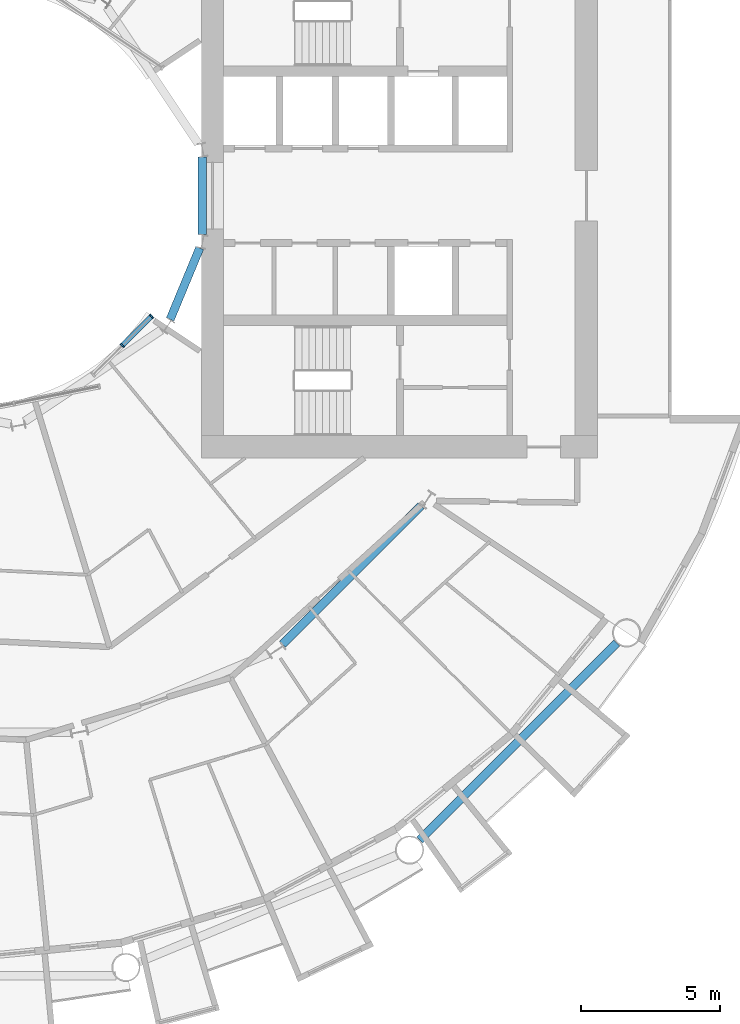
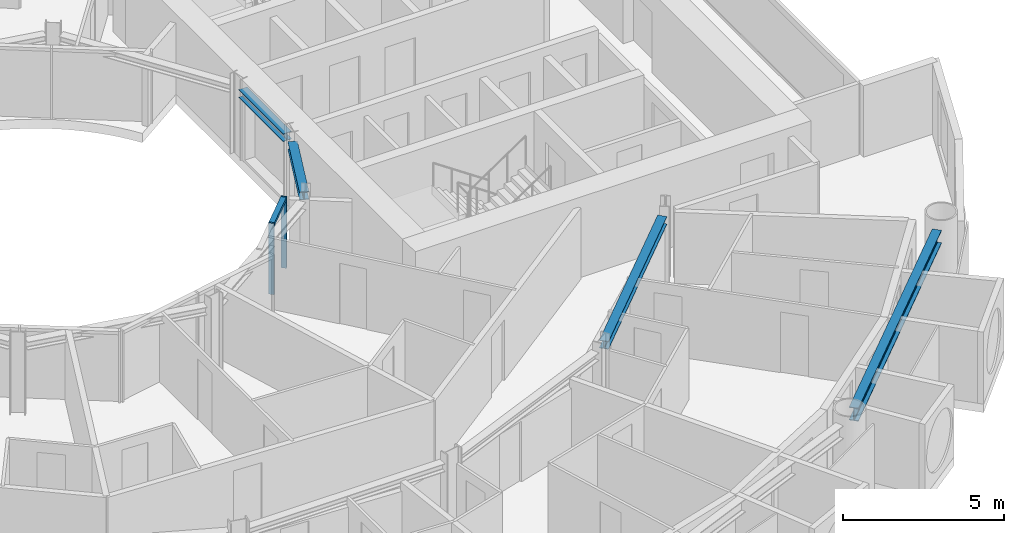
# One storey, part 6 of 25: 4 beams, 3 members, 1 element without a shape of its own.
"""IFC4 building model written with IfcOpenShell, lengths in metres."""

from ifc_helpers import new_model, si_unit, direction, frame, origin, origin_2d, place, context, subcontext, project, spatial, rectangle, i_section, extrude, material, layer, layer_set, material_profile, profile_set, type_object, element, aggregate, save


model = new_model("IFC4")

# Units and contexts
model_context = context("Model", 3, precision=1e-05, world=origin(), true_north=direction((0.0, 1.0)))
body_context = subcontext(model_context, "Body", "Model", "MODEL_VIEW")
ifc_project = project(units=[si_unit("LENGTHUNIT", "METRE"), si_unit("AREAUNIT", "SQUARE_METRE"), si_unit("VOLUMEUNIT", "CUBIC_METRE"), si_unit("PLANEANGLEUNIT", "RADIAN"), si_unit("MASSUNIT", "GRAM", prefix="KILO")], contexts=[model_context])

# Site, building, storey
site_placement = place(None, origin())
site = spatial("IfcSite", under=ifc_project, at=site_placement, CompositionType="ELEMENT")
building_placement = place(site_placement, origin())
building = spatial("IfcBuilding", under=site, at=building_placement, Name="Maasbend Ring Residences", CompositionType="ELEMENT")
storey_placement = place(building_placement, frame((0.0, 0.0, 41.10009765625)))
storey = spatial("IfcBuildingStorey", under=building, at=storey_placement, Name="L11", CompositionType="ELEMENT", Elevation=41.10009765625)

# Curtain wall, members
ifc_material_1 = material(Name="Aluminium and clear glass", Category="aluminium")
ifc_layer = layer(ifc_material_1, 0.179931640625)
ifc_layer_set = layer_set([ifc_layer], Name="CW-W")
curtain_wall_type = type_object("IfcCurtainWallType", Name="CW-W", PredefinedType="NOTDEFINED", material=ifc_layer_set)
curtain_wall_placement = place(storey_placement, origin())
curtain_wall = element("IfcCurtainWall", 1, at=curtain_wall_placement, inside=storey, type_object=curtain_wall_type, Name="Well curtain wall S3", PredefinedType="NOTDEFINED")
ifc_material_2 = material(Name="Aluminium 6063-T6", Category="aluminium")
ifc_material_profile_1 = material_profile(ifc_material_2, rectangle(XDim=0.179931640625, YDim=0.06005859375, at=origin_2d()), Name="AL 180x60")
ifc_profile_set_1 = profile_set([ifc_material_profile_1], Name="Aluminium 6063-T6")
member_type_1 = type_object("IfcMemberType", Name="CWM-W", PredefinedType="MULLION", material=ifc_profile_set_1)
member_1_placement = place(storey_placement, frame((5.366943359375, -5.366943359375, 0.0), z_axis=(0.0, 0.0, 1.0), x_axis=(-0.707106781187, 0.707106781187, 0.0)))
member_1 = element("IfcMember", 2, at=member_1_placement, type_object=member_type_1, Name="Mullion well face", PredefinedType="MULLION", context=body_context, shape_type="SweptSolid", body=[
    extrude(rectangle(XDim=0.179931640625, YDim=0.06005859375, at=origin_2d()), origin(), (0.0, 0.0, 1.0), 2.699951171875),
])
member_2_placement = place(storey_placement, frame((6.413330078125, -4.320556640625, 0.0), z_axis=(0.0, 0.0, 1.0), x_axis=(-0.707106781187, 0.707106781187, 0.0)))
member_2 = element("IfcMember", 3, at=member_2_placement, type_object=member_type_1, Name="Mullion well face", PredefinedType="MULLION", context=body_context, shape_type="SweptSolid", body=[
    extrude(rectangle(XDim=0.179931640625, YDim=0.06005859375, at=origin_2d()), origin(), (0.0, 0.0, 1.0), 2.699951171875),
])
ifc_material_3 = material(Name="Aluminium 6063-T6", Category="aluminium")
ifc_material_profile_2 = material_profile(ifc_material_3, rectangle(XDim=0.179931640625, YDim=0.1201171875, at=origin_2d()), Name="AL 180x120")
ifc_profile_set_2 = profile_set([ifc_material_profile_2], Name="Aluminium 6063-T6")
member_type_2 = type_object("IfcMemberType", Name="CWT-W", PredefinedType="USERDEFINED", material=ifc_profile_set_2)
member_3_placement = place(storey_placement, frame((5.38818359375, -5.345703125, 2.639892578125), z_axis=(0.707106781187, 0.707106781187, 0.0), x_axis=(-0.707106781187, 0.707106781187, 0.0)))
member_3 = element("IfcMember", 4, at=member_3_placement, type_object=member_type_2, Name="Transom well face", ObjectType="TRANSOM", PredefinedType="USERDEFINED", context=body_context, shape_type="SweptSolid", body=[
    extrude(rectangle(XDim=0.179931640625, YDim=0.1201171875, at=origin_2d()), origin(), (0.0, 0.0, 1.0), 1.419677734375),
])
aggregate(curtain_wall, [member_1, member_2, member_3])

# Beams
ifc_material_4 = material(Name="Steel S355J2", Category="steel")
ifc_material_profile_3 = material_profile(ifc_material_4, i_section(OverallWidth=0.300048828125, OverallDepth=0.300048828125, WebThickness=0.010986328125, FlangeThickness=0.01904296875, FilletRadius=0.027099609375, at=origin_2d()), Name="HEB 300")
ifc_profile_set_3 = profile_set([ifc_material_profile_3], Name="Steel S355J2")
beam_type_1 = type_object("IfcBeamType", Name="Corridor ring beam HEB 300", PredefinedType="BEAM", material=ifc_profile_set_3)
beam_1_placement = place(storey_placement, frame((11.11279296875, -16.0732421875, 2.5498046875), z_axis=(0.707106781187, 0.707106781187, 0.0), x_axis=(-0.707106781187, 0.707106781187, 0.0)))
element("IfcBeam", 5, at=beam_1_placement, inside=storey, type_object=beam_type_1, Name="Corridor ring beam", PredefinedType="BEAM", context=body_context, shape_type="SweptSolid", body=[
    extrude(i_section(OverallWidth=0.300048828125, OverallDepth=0.300048828125, WebThickness=0.010986328125, FlangeThickness=0.01904296875, FilletRadius=0.027099609375, at=origin_2d()), origin(), (0.0, 0.0, 1.0), 7.01513671875),
])
ifc_material_5 = material(Name="Steel S355J2", Category="steel")
ifc_material_profile_4 = material_profile(ifc_material_5, i_section(OverallWidth=0.300048828125, OverallDepth=0.5, WebThickness=0.014404296875, FlangeThickness=0.028076171875, FilletRadius=0.027099609375, at=origin_2d()), Name="HEB 500")
ifc_profile_set_4 = profile_set([ifc_material_profile_4], Name="Steel S355J2")
beam_type_2 = type_object("IfcBeamType", Name="Spandrel ring beam HEB 500", PredefinedType="SPANDREL", material=ifc_profile_set_4)
beam_2_placement = place(storey_placement, frame((16.0263671875, -23.088134765625, 2.449951171875), z_axis=(0.707106781187, 0.707106781187, 0.0), x_axis=(-0.707106781187, 0.707106781187, 0.0)))
element("IfcBeam", 6, at=beam_2_placement, inside=storey, type_object=beam_type_2, Name="Spandrel ring beam", PredefinedType="SPANDREL", context=body_context, shape_type="SweptSolid", body=[
    extrude(i_section(OverallWidth=0.300048828125, OverallDepth=0.5, WebThickness=0.014404296875, FlangeThickness=0.028076171875, FilletRadius=0.027099609375, at=origin_2d()), origin(), (0.0, 0.0, 1.0), 9.98681640625),
])
ifc_material_6 = material(Name="Steel S355J2", Category="steel")
ifc_material_profile_5 = material_profile(ifc_material_6, i_section(OverallWidth=0.300048828125, OverallDepth=0.300048828125, WebThickness=0.010986328125, FlangeThickness=0.01904296875, FilletRadius=0.027099609375, at=origin_2d()), Name="HEB 300")
ifc_profile_set_5 = profile_set([ifc_material_profile_5], Name="Steel S355J2")
beam_type_3 = type_object("IfcBeamType", Name="Well edge beam HEB 300", PredefinedType="BEAM", material=ifc_profile_set_5)
beam_3_placement = place(storey_placement, frame((7.081787109375, -4.431396484375, 2.5498046875), z_axis=(0.382723119906, 0.923863092395, 0.0), x_axis=(-0.923863092395, 0.382723119906, 0.0)))
element("IfcBeam", 7, at=beam_3_placement, inside=storey, type_object=beam_type_3, Name="Well edge beam", PredefinedType="BEAM", context=body_context, shape_type="SweptSolid", body=[
    extrude(i_section(OverallWidth=0.300048828125, OverallDepth=0.300048828125, WebThickness=0.010986328125, FlangeThickness=0.01904296875, FilletRadius=0.027099609375, at=origin_2d()), origin(), (0.0, 0.0, 1.0), 2.767822265625),
])
beam_4_placement = place(storey_placement, frame((8.238525390625, -1.3837890625, 2.5498046875), z_axis=(0.0, 1.0, 0.0), x_axis=(-1.0, 0.0, 0.0)))
element("IfcBeam", 8, at=beam_4_placement, inside=storey, type_object=beam_type_3, Name="Well edge beam", PredefinedType="BEAM", context=body_context, shape_type="SweptSolid", body=[
    extrude(i_section(OverallWidth=0.300048828125, OverallDepth=0.300048828125, WebThickness=0.010986328125, FlangeThickness=0.01904296875, FilletRadius=0.027099609375, at=origin_2d()), origin(), (0.0, 0.0, 1.0), 2.767578125),
])

save(model, "model.ifc")
